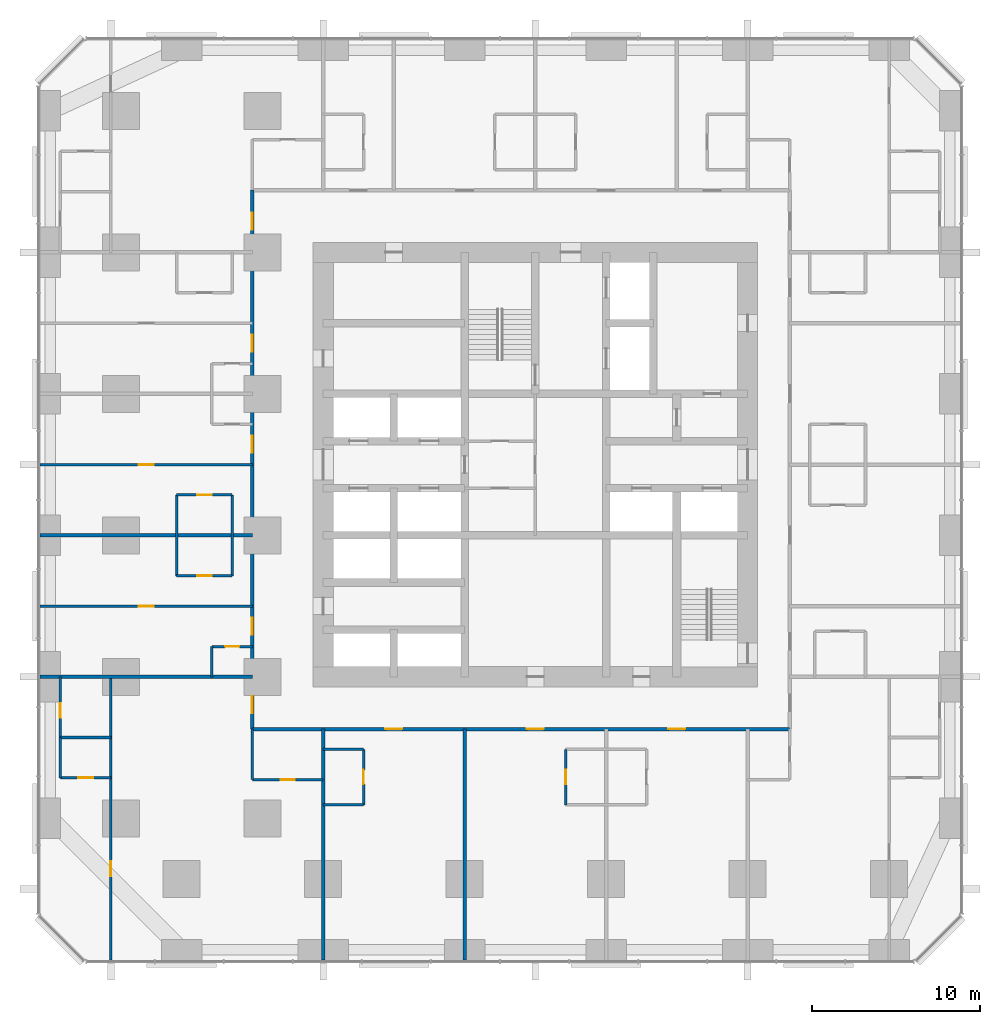
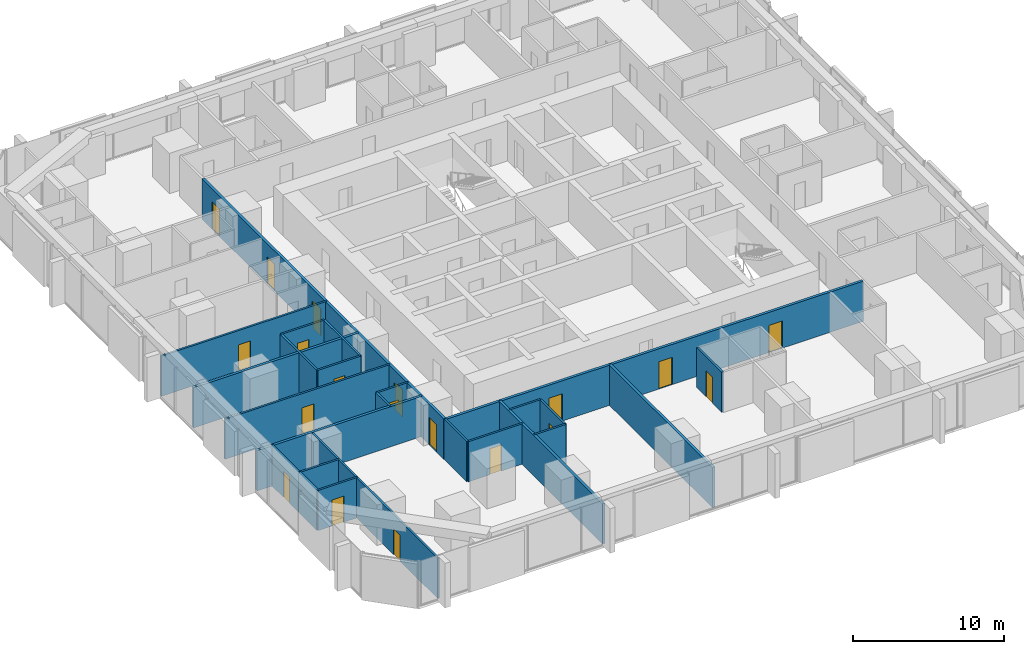
# One storey, part 8 of 13: 25 walls, 19 doors, 19 openings.
"""IFC4 building model written with IfcOpenShell, lengths in metres."""

from ifc_helpers import new_model, si_unit, direction, frame, frame_2d, origin, place, context, subcontext, project, spatial, rectangle, extrude, material, layer, layer_set, type_object, element, fill, save


model = new_model("IFC4")

# Units and contexts
model_context = context("Model", 3, precision=1e-05, world=origin(), true_north=direction((0.0, 1.0)))
body_context = subcontext(model_context, "Body", "Model", "MODEL_VIEW")
ifc_project = project(units=[si_unit("LENGTHUNIT", "METRE"), si_unit("AREAUNIT", "SQUARE_METRE"), si_unit("VOLUMEUNIT", "CUBIC_METRE"), si_unit("PLANEANGLEUNIT", "RADIAN"), si_unit("MASSUNIT", "GRAM", prefix="KILO")], contexts=[model_context])

# Site, building, storey
site_placement = place(None, origin())
site = spatial("IfcSite", under=ifc_project, at=site_placement, CompositionType="ELEMENT")
building_placement = place(site_placement, origin())
building = spatial("IfcBuilding", under=site, at=building_placement, Name="Dunama Terrace Hotel", CompositionType="ELEMENT")
storey_placement = place(building_placement, frame((0.0, 0.0, 97.199951171875)))
storey = spatial("IfcBuildingStorey", under=building, at=storey_placement, Name="L24", CompositionType="ELEMENT", Elevation=97.199951171875)

# Wall, opening, door
ifc_material_1 = material(Name="Gypsum board partition", Category="masonry")
ifc_layer_1 = layer(ifc_material_1, 0.14990234375)
ifc_layer_set_1 = layer_set([ifc_layer_1], Name="Bathroom partition 150")
wall_type_1 = type_object("IfcWallType", Name="Bathroom partition 150", PredefinedType="PARTITIONING", material=ifc_layer_set_1)
wall_1_placement = place(storey_placement, frame((1.199951171875, 13.199951171875, 0.0), z_axis=(0.0, 0.0, 1.0), x_axis=(0.0, 1.0, 0.0)))
wall_1 = element("IfcWall", 1, at=wall_1_placement, inside=storey, type_object=wall_type_1, Name="Bathroom partition 150 L24", PredefinedType="PARTITIONING", context=body_context, shape_type="SweptSolid", body=[
    extrude(rectangle(XDim=3.60009765625, YDim=0.14990234375, at=frame_2d((1.800048828125, 0.0))), origin(), (0.0, 0.0, 1.0), 3.25),
])
opening_1_placement = place(wall_1_placement, frame((1.175048828125, 0.0, 0.0)))
opening_1 = element("IfcOpeningElement", 2, at=opening_1_placement, cuts=wall_1, Name="Opening L24-048", PredefinedType="OPENING", context=body_context, shape_type="SweptSolid", body=[
    extrude(rectangle(XDim=0.85009765625, YDim=2.10009765625, at=frame_2d((0.425048828125, 1.050048828125))), frame((0.0, 0.0849609375, 0.0), z_axis=(0.0, -1.0, 0.0), x_axis=(1.0, 0.0, 0.0)), (0.0, 0.0, 1.0), 0.169921875),
])
ifc_material_2 = material(Name="Timber door with steel frame", Category="steel")
door_type_1 = type_object("IfcDoorType", Name="Bathroom door 850", OperationType="SINGLE_SWING_LEFT", PredefinedType="DOOR", material=ifc_material_2)
door_1_placement = place(opening_1_placement, frame((0.85009765625, 0.0, 0.0), z_axis=(0.0, 0.0, 1.0), x_axis=(-1.0, 0.0, 0.0)))
door_1 = element("IfcDoor", 3, at=door_1_placement, inside=storey, type_object=door_type_1, Name="Door to en-suite bathroom L24-048, type D2", OperationType="SINGLE_SWING_LEFT", OverallHeight=2.10009765625, OverallWidth=0.85009765625, PredefinedType="DOOR", context=body_context, shape_type="SweptSolid", body=[
    extrude(rectangle(XDim=0.85009765625, YDim=2.10009765625, at=frame_2d((0.425048828125, 1.050048828125))), frame((0.0, 0.025146484375, 0.0), z_axis=(0.0, -1.0, 0.0), x_axis=(1.0, 0.0, 0.0)), (0.0, 0.0, 1.0), 0.050048828125),
])
fill(opening_1, door_1)

# Walls
wall_2_placement = place(storey_placement, frame((8.10009765625, 22.800048828125, 0.0), z_axis=(0.0, 0.0, 1.0), x_axis=(0.0, 1.0, 0.0)))
element("IfcWall", 4, at=wall_2_placement, inside=storey, type_object=wall_type_1, Name="Bathroom partition 150 L24", PredefinedType="PARTITIONING", context=body_context, shape_type="SweptSolid", body=[
    extrude(rectangle(XDim=4.800048828125, YDim=0.14990234375, at=frame_2d((2.39990234375, 0.0))), origin(), (0.0, 0.0, 1.0), 3.25),
])
wall_3_placement = place(storey_placement, frame((10.199951171875, 16.800048828125, 0.0), z_axis=(0.0, 0.0, 1.0), x_axis=(0.0, 1.0, 0.0)))
element("IfcWall", 5, at=wall_3_placement, inside=storey, type_object=wall_type_1, Name="Bathroom partition 150 L24", PredefinedType="PARTITIONING", context=body_context, shape_type="SweptSolid", body=[
    extrude(rectangle(XDim=1.800048828125, YDim=0.14990234375, at=frame_2d((0.89990234375, 0.0))), origin(), (0.0, 0.0, 1.0), 3.25),
])
wall_4_placement = place(storey_placement, frame((11.39990234375, 22.800048828125, 0.0), z_axis=(0.0, 0.0, 1.0), x_axis=(0.0, 1.0, 0.0)))
element("IfcWall", 6, at=wall_4_placement, inside=storey, type_object=wall_type_1, Name="Bathroom partition 150 L24", PredefinedType="PARTITIONING", context=body_context, shape_type="SweptSolid", body=[
    extrude(rectangle(XDim=4.800048828125, YDim=0.14990234375, at=frame_2d((2.39990234375, 0.0))), origin(), (0.0, 0.0, 1.0), 3.25),
])
wall_5_placement = place(storey_placement, frame((12.60009765625, 10.699951171875, 0.0), z_axis=(0.0, 0.0, 1.0), x_axis=(0.0, 1.0, 0.0)))
element("IfcWall", 7, at=wall_5_placement, inside=storey, type_object=wall_type_1, Name="Bathroom partition 150 L24", PredefinedType="PARTITIONING", context=body_context, shape_type="SweptSolid", body=[
    extrude(rectangle(XDim=3.0, YDim=0.14990234375, at=frame_2d((1.5, 0.0))), origin(), (0.0, 0.0, 1.0), 3.25),
])

# Wall, opening, door
wall_6_placement = place(storey_placement, frame((19.199951171875, 9.199951171875, 0.0), z_axis=(0.0, 0.0, 1.0), x_axis=(0.0, 1.0, 0.0)))
wall_6 = element("IfcWall", 8, at=wall_6_placement, inside=storey, type_object=wall_type_1, Name="Bathroom partition 150 L24", PredefinedType="PARTITIONING", context=body_context, shape_type="SweptSolid", body=[
    extrude(rectangle(XDim=3.300048828125, YDim=0.14990234375, at=frame_2d((1.64990234375, 0.0))), origin(), (0.0, 0.0, 1.0), 3.25),
])
opening_2_placement = place(wall_6_placement, frame((1.22509765625, 0.0, 0.0)))
opening_2 = element("IfcOpeningElement", 9, at=opening_2_placement, cuts=wall_6, Name="Opening L24-012", PredefinedType="OPENING", context=body_context, shape_type="SweptSolid", body=[
    extrude(rectangle(XDim=0.85009765625, YDim=2.10009765625, at=frame_2d((0.425048828125, 1.050048828125))), frame((0.0, 0.0849609375, 0.0), z_axis=(0.0, -1.0, 0.0), x_axis=(1.0, 0.0, 0.0)), (0.0, 0.0, 1.0), 0.169921875),
])
door_2_placement = place(opening_2_placement, origin())
door_2 = element("IfcDoor", 10, at=door_2_placement, inside=storey, type_object=door_type_1, Name="Door to en-suite bathroom L24-012, type D2", OperationType="SINGLE_SWING_LEFT", OverallHeight=2.10009765625, OverallWidth=0.85009765625, PredefinedType="DOOR", context=body_context, shape_type="SweptSolid", body=[
    extrude(rectangle(XDim=0.85009765625, YDim=2.10009765625, at=frame_2d((0.425048828125, 1.050048828125))), frame((0.0, 0.02490234375, 0.0), z_axis=(0.0, -1.0, 0.0), x_axis=(1.0, 0.0, 0.0)), (0.0, 0.0, 1.0), 0.050048828125),
])
fill(opening_2, door_2)

wall_7_placement = place(storey_placement, frame((31.199951171875, 9.199951171875, 0.0), z_axis=(0.0, 0.0, 1.0), x_axis=(0.0, 1.0, 0.0)))
wall_7 = element("IfcWall", 11, at=wall_7_placement, inside=storey, type_object=wall_type_1, Name="Bathroom partition 150 L24", PredefinedType="PARTITIONING", context=body_context, shape_type="SweptSolid", body=[
    extrude(rectangle(XDim=3.300048828125, YDim=0.14990234375, at=frame_2d((1.64990234375, 0.0))), origin(), (0.0, 0.0, 1.0), 3.25),
])
opening_3_placement = place(wall_7_placement, frame((1.22509765625, 0.0, 0.0)))
opening_3 = element("IfcOpeningElement", 12, at=opening_3_placement, cuts=wall_7, Name="Opening L24-014", PredefinedType="OPENING", context=body_context, shape_type="SweptSolid", body=[
    extrude(rectangle(XDim=0.85009765625, YDim=2.10009765625, at=frame_2d((0.425048828125, 1.050048828125))), frame((0.0, 0.0849609375, 0.0), z_axis=(0.0, -1.0, 0.0), x_axis=(1.0, 0.0, 0.0)), (0.0, 0.0, 1.0), 0.169921875),
])
door_3_placement = place(opening_3_placement, frame((0.85009765625, 0.0, 0.0), z_axis=(0.0, 0.0, 1.0), x_axis=(-1.0, 0.0, 0.0)))
door_3 = element("IfcDoor", 13, at=door_3_placement, inside=storey, type_object=door_type_1, Name="Door to en-suite bathroom L24-014, type D2", OperationType="SINGLE_SWING_RIGHT", OverallHeight=2.10009765625, OverallWidth=0.85009765625, PredefinedType="DOOR", context=body_context, shape_type="SweptSolid", body=[
    extrude(rectangle(XDim=0.85009765625, YDim=2.10009765625, at=frame_2d((0.425048828125, 1.050048828125))), frame((0.0, 0.025146484375, 0.0), z_axis=(0.0, -1.0, 0.0), x_axis=(1.0, 0.0, 0.0)), (0.0, 0.0, 1.0), 0.050048828125),
])
fill(opening_3, door_3)

# Wall
wall_8_placement = place(storey_placement, frame((16.800048828125, 9.199951171875, 0.0), z_axis=(0.0, 0.0, 1.0), x_axis=(1.0, 0.0, 0.0)))
element("IfcWall", 14, at=wall_8_placement, inside=storey, type_object=wall_type_1, Name="Bathroom partition 150 L24", PredefinedType="PARTITIONING", context=body_context, shape_type="SweptSolid", body=[
    extrude(rectangle(XDim=2.39990234375, YDim=0.14990234375, at=frame_2d((1.199951171875, 0.0))), origin(), (0.0, 0.0, 1.0), 3.25),
])

# Wall, opening, door
wall_9_placement = place(storey_placement, frame((12.60009765625, 10.699951171875, 0.0), z_axis=(0.0, 0.0, 1.0), x_axis=(1.0, 0.0, 0.0)))
wall_9 = element("IfcWall", 15, at=wall_9_placement, inside=storey, type_object=wall_type_1, Name="Bathroom partition 150 L24", PredefinedType="PARTITIONING", context=body_context, shape_type="SweptSolid", body=[
    extrude(rectangle(XDim=4.199951171875, YDim=0.14990234375, at=frame_2d((2.10009765625, 0.0))), origin(), (0.0, 0.0, 1.0), 3.25),
])
opening_4_placement = place(wall_9_placement, frame((1.675048828125, 0.0, 0.0)))
opening_4 = element("IfcOpeningElement", 16, at=opening_4_placement, cuts=wall_9, Name="Opening L24-046", PredefinedType="OPENING", context=body_context, shape_type="SweptSolid", body=[
    extrude(rectangle(XDim=0.85009765625, YDim=2.10009765625, at=frame_2d((0.425048828125, 1.050048828125))), frame((0.0, 0.0849609375, 0.0), z_axis=(0.0, -1.0, 0.0), x_axis=(1.0, 0.0, 0.0)), (0.0, 0.0, 1.0), 0.169921875),
])
door_4_placement = place(opening_4_placement, origin())
door_4 = element("IfcDoor", 17, at=door_4_placement, inside=storey, type_object=door_type_1, Name="Door to powder room L24-046, type D2", OperationType="SINGLE_SWING_LEFT", OverallHeight=2.10009765625, OverallWidth=0.85009765625, PredefinedType="DOOR", context=body_context, shape_type="SweptSolid", body=[
    extrude(rectangle(XDim=0.85009765625, YDim=2.10009765625, at=frame_2d((0.425048828125, 1.050048828125))), frame((0.0, 0.02490234375, 0.0), z_axis=(0.0, -1.0, 0.0), x_axis=(1.0, 0.0, 0.0)), (0.0, 0.0, 1.0), 0.050048828125),
])
fill(opening_4, door_4)

# Wall
wall_10_placement = place(storey_placement, frame((16.800048828125, 12.5, 0.0), z_axis=(0.0, 0.0, 1.0), x_axis=(1.0, 0.0, 0.0)))
element("IfcWall", 18, at=wall_10_placement, inside=storey, type_object=wall_type_1, Name="Bathroom partition 150 L24", PredefinedType="PARTITIONING", context=body_context, shape_type="SweptSolid", body=[
    extrude(rectangle(XDim=2.39990234375, YDim=0.14990234375, at=frame_2d((1.199951171875, 0.0))), origin(), (0.0, 0.0, 1.0), 3.25),
])

# Wall, opening, door
wall_11_placement = place(storey_placement, frame((10.199951171875, 18.60009765625, 0.0), z_axis=(0.0, 0.0, 1.0), x_axis=(1.0, 0.0, 0.0)))
wall_11 = element("IfcWall", 19, at=wall_11_placement, inside=storey, type_object=wall_type_1, Name="Bathroom partition 150 L24", PredefinedType="PARTITIONING", context=body_context, shape_type="SweptSolid", body=[
    extrude(rectangle(XDim=2.400146484375, YDim=0.14990234375, at=frame_2d((1.2001953125, 0.0))), origin(), (0.0, 0.0, 1.0), 3.25),
])
opening_5_placement = place(wall_11_placement, frame((0.77490234375, 0.0, 0.0)))
opening_5 = element("IfcOpeningElement", 20, at=opening_5_placement, cuts=wall_11, Name="Opening L24-034", PredefinedType="OPENING", context=body_context, shape_type="SweptSolid", body=[
    extrude(rectangle(XDim=0.85009765625, YDim=2.10009765625, at=frame_2d((0.425048828125, 1.050048828125))), frame((0.0, 0.0849609375, 0.0), z_axis=(0.0, -1.0, 0.0), x_axis=(1.0, 0.0, 0.0)), (0.0, 0.0, 1.0), 0.169921875),
])
door_5_placement = place(opening_5_placement, frame((0.85009765625, 0.0, 0.0), z_axis=(0.0, 0.0, 1.0), x_axis=(-1.0, 0.0, 0.0)))
door_5 = element("IfcDoor", 21, at=door_5_placement, inside=storey, type_object=door_type_1, Name="Door to powder room L24-034, type D2", OperationType="SINGLE_SWING_LEFT", OverallHeight=2.10009765625, OverallWidth=0.85009765625, PredefinedType="DOOR", context=body_context, shape_type="SweptSolid", body=[
    extrude(rectangle(XDim=0.85009765625, YDim=2.10009765625, at=frame_2d((0.425048828125, 1.050048828125))), frame((0.0, 0.025146484375, 0.0), z_axis=(0.0, -1.0, 0.0), x_axis=(1.0, 0.0, 0.0)), (0.0, 0.0, 1.0), 0.050048828125),
])
fill(opening_5, door_5)

wall_12_placement = place(storey_placement, frame((8.10009765625, 22.800048828125, 0.0), z_axis=(0.0, 0.0, 1.0), x_axis=(1.0, 0.0, 0.0)))
wall_12 = element("IfcWall", 22, at=wall_12_placement, inside=storey, type_object=wall_type_1, Name="Bathroom partition 150 L24", PredefinedType="PARTITIONING", context=body_context, shape_type="SweptSolid", body=[
    extrude(rectangle(XDim=3.2998046875, YDim=0.14990234375, at=frame_2d((1.64990234375, 0.0))), origin(), (0.0, 0.0, 1.0), 3.25),
])
opening_6_placement = place(wall_12_placement, frame((1.22509765625, 0.0, 0.0)))
opening_6 = element("IfcOpeningElement", 23, at=opening_6_placement, cuts=wall_12, Name="Opening L24-036", PredefinedType="OPENING", context=body_context, shape_type="SweptSolid", body=[
    extrude(rectangle(XDim=0.85009765625, YDim=2.10009765625, at=frame_2d((0.425048828125, 1.050048828125))), frame((0.0, 0.0849609375, 0.0), z_axis=(0.0, -1.0, 0.0), x_axis=(1.0, 0.0, 0.0)), (0.0, 0.0, 1.0), 0.169921875),
])
door_6_placement = place(opening_6_placement, origin())
door_6 = element("IfcDoor", 24, at=door_6_placement, inside=storey, type_object=door_type_1, Name="Door to en-suite bathroom L24-036, type D2", OperationType="SINGLE_SWING_LEFT", OverallHeight=2.10009765625, OverallWidth=0.85009765625, PredefinedType="DOOR", context=body_context, shape_type="SweptSolid", body=[
    extrude(rectangle(XDim=0.85009765625, YDim=2.10009765625, at=frame_2d((0.425048828125, 1.050048828125))), frame((0.0, 0.02490234375, 0.0), z_axis=(0.0, -1.0, 0.0), x_axis=(1.0, 0.0, 0.0)), (0.0, 0.0, 1.0), 0.050048828125),
])
fill(opening_6, door_6)

wall_13_placement = place(storey_placement, frame((8.10009765625, 27.60009765625, 0.0), z_axis=(0.0, 0.0, 1.0), x_axis=(1.0, 0.0, 0.0)))
wall_13 = element("IfcWall", 25, at=wall_13_placement, inside=storey, type_object=wall_type_1, Name="Bathroom partition 150 L24", PredefinedType="PARTITIONING", context=body_context, shape_type="SweptSolid", body=[
    extrude(rectangle(XDim=3.2998046875, YDim=0.14990234375, at=frame_2d((1.64990234375, 0.0))), origin(), (0.0, 0.0, 1.0), 3.25),
])
opening_7_placement = place(wall_13_placement, frame((1.22509765625, 0.0, 0.0)))
opening_7 = element("IfcOpeningElement", 26, at=opening_7_placement, cuts=wall_13, Name="Opening L24-040", PredefinedType="OPENING", context=body_context, shape_type="SweptSolid", body=[
    extrude(rectangle(XDim=0.85009765625, YDim=2.10009765625, at=frame_2d((0.425048828125, 1.050048828125))), frame((0.0, 0.0849609375, 0.0), z_axis=(0.0, -1.0, 0.0), x_axis=(1.0, 0.0, 0.0)), (0.0, 0.0, 1.0), 0.169921875),
])
door_7_placement = place(opening_7_placement, frame((0.85009765625, 0.0, 0.0), z_axis=(0.0, 0.0, 1.0), x_axis=(-1.0, 0.0, 0.0)))
door_7 = element("IfcDoor", 27, at=door_7_placement, inside=storey, type_object=door_type_1, Name="Door to en-suite bathroom L24-040, type D2", OperationType="SINGLE_SWING_RIGHT", OverallHeight=2.10009765625, OverallWidth=0.85009765625, PredefinedType="DOOR", context=body_context, shape_type="SweptSolid", body=[
    extrude(rectangle(XDim=0.85009765625, YDim=2.10009765625, at=frame_2d((0.425048828125, 1.050048828125))), frame((0.0, 0.025146484375, 0.0), z_axis=(0.0, -1.0, 0.0), x_axis=(1.0, 0.0, 0.0)), (0.0, 0.0, 1.0), 0.050048828125),
])
fill(opening_7, door_7)

# Wall, openings, doors
ifc_material_3 = material(Name="Concrete blockwork", Category="masonry")
ifc_layer_2 = layer(ifc_material_3, 0.199951171875)
ifc_layer_set_2 = layer_set([ifc_layer_2], Name="Corridor partition 200")
wall_type_2 = type_object("IfcWallType", Name="Corridor partition 200", PredefinedType="PARTITIONING", material=ifc_layer_set_2)
wall_14_placement = place(storey_placement, frame((12.60009765625, 13.699951171875, 0.0), z_axis=(0.0, 0.0, 1.0), x_axis=(0.0, 1.0, 0.0)))
wall_14 = element("IfcWall", 28, at=wall_14_placement, inside=storey, type_object=wall_type_2, Name="Corridor partition 200 L24", PredefinedType="PARTITIONING", context=body_context, shape_type="SweptSolid", body=[
    extrude(rectangle(XDim=32.0, YDim=0.199951171875, at=frame_2d((16.0, 0.0))), origin(), (0.0, 0.0, 1.0), 3.25),
])
opening_8_placement = place(wall_14_placement, frame((5.60009765625, 0.0, 0.0)))
opening_8 = element("IfcOpeningElement", 29, at=opening_8_placement, cuts=wall_14, Name="Opening L24-033", PredefinedType="OPENING", context=body_context, shape_type="SweptSolid", body=[
    extrude(rectangle(XDim=1.0, YDim=2.199951171875, at=frame_2d((0.5, 1.10009765625))), frame((0.0, 0.10986328125, 0.0), z_axis=(0.0, -1.0, 0.0), x_axis=(1.0, 0.0, 0.0)), (0.0, 0.0, 1.0), 0.219970703125),
])
opening_9_placement = place(wall_14_placement, frame((16.39990234375, 0.0, 0.0)))
opening_9 = element("IfcOpeningElement", 30, at=opening_9_placement, cuts=wall_14, Name="Opening L24-037", PredefinedType="OPENING", context=body_context, shape_type="SweptSolid", body=[
    extrude(rectangle(XDim=1.0, YDim=2.199951171875, at=frame_2d((0.5, 1.10009765625))), frame((0.0, 0.10986328125, 0.0), z_axis=(0.0, -1.0, 0.0), x_axis=(1.0, 0.0, 0.0)), (0.0, 0.0, 1.0), 0.219970703125),
])
opening_10_placement = place(wall_14_placement, frame((22.39990234375, 0.0, 0.0)))
opening_10 = element("IfcOpeningElement", 31, at=opening_10_placement, cuts=wall_14, Name="Opening L24-041", PredefinedType="OPENING", context=body_context, shape_type="SweptSolid", body=[
    extrude(rectangle(XDim=1.0, YDim=2.199951171875, at=frame_2d((0.5, 1.10009765625))), frame((0.0, 0.10986328125, 0.0), z_axis=(0.0, -1.0, 0.0), x_axis=(1.0, 0.0, 0.0)), (0.0, 0.0, 1.0), 0.219970703125),
])
opening_11_placement = place(wall_14_placement, frame((0.949951171875, 0.0, 0.0)))
opening_11 = element("IfcOpeningElement", 32, at=opening_11_placement, cuts=wall_14, Name="Opening L24-045", PredefinedType="OPENING", context=body_context, shape_type="SweptSolid", body=[
    extrude(rectangle(XDim=1.0, YDim=2.199951171875, at=frame_2d((0.5, 1.10009765625))), frame((0.0, 0.10986328125, 0.0), z_axis=(0.0, -1.0, 0.0), x_axis=(1.0, 0.0, 0.0)), (0.0, 0.0, 1.0), 0.219970703125),
])
opening_12_placement = place(wall_14_placement, frame((29.64990234375, 0.0, 0.0)))
opening_12 = element("IfcOpeningElement", 33, at=opening_12_placement, cuts=wall_14, Name="Opening L24-060", PredefinedType="OPENING", context=body_context, shape_type="SweptSolid", body=[
    extrude(rectangle(XDim=1.0, YDim=2.199951171875, at=frame_2d((0.5, 1.10009765625))), frame((0.0, 0.10986328125, 0.0), z_axis=(0.0, -1.0, 0.0), x_axis=(1.0, 0.0, 0.0)), (0.0, 0.0, 1.0), 0.219970703125),
])
ifc_material_4 = material(Name="Timber door with steel frame", Category="steel")
door_type_2 = type_object("IfcDoorType", Name="Guest room door 1000", OperationType="SINGLE_SWING_LEFT", PredefinedType="DOOR", material=ifc_material_4)
door_8_placement = place(opening_8_placement, origin())
door_8 = element("IfcDoor", 34, at=door_8_placement, inside=storey, type_object=door_type_2, Name="Door to premier suite living room L24-033, type D1", OperationType="SINGLE_SWING_LEFT", OverallHeight=2.199951171875, OverallWidth=1.0, PredefinedType="DOOR", context=body_context, shape_type="SweptSolid", body=[
    extrude(rectangle(XDim=1.0, YDim=2.199951171875, at=frame_2d((0.5, 1.10009765625))), frame((0.0, 0.02490234375, 0.0), z_axis=(0.0, -1.0, 0.0), x_axis=(1.0, 0.0, 0.0)), (0.0, 0.0, 1.0), 0.050048828125),
])
fill(opening_8, door_8)
door_9_placement = place(opening_9_placement, origin())
door_9 = element("IfcDoor", 35, at=door_9_placement, inside=storey, type_object=door_type_2, Name="Door to premier suite living room L24-037, type D1", OperationType="SINGLE_SWING_LEFT", OverallHeight=2.199951171875, OverallWidth=1.0, PredefinedType="DOOR", context=body_context, shape_type="SweptSolid", body=[
    extrude(rectangle(XDim=1.0, YDim=2.199951171875, at=frame_2d((0.5, 1.10009765625))), frame((0.0, 0.02490234375, 0.0), z_axis=(0.0, -1.0, 0.0), x_axis=(1.0, 0.0, 0.0)), (0.0, 0.0, 1.0), 0.050048828125),
])
fill(opening_9, door_9)
door_10_placement = place(opening_10_placement, origin())
door_10 = element("IfcDoor", 36, at=door_10_placement, inside=storey, type_object=door_type_2, Name="Door to premier suite living room L24-041, type D1", OperationType="SINGLE_SWING_LEFT", OverallHeight=2.199951171875, OverallWidth=1.0, PredefinedType="DOOR", context=body_context, shape_type="SweptSolid", body=[
    extrude(rectangle(XDim=1.0, YDim=2.199951171875, at=frame_2d((0.5, 1.10009765625))), frame((0.0, 0.02490234375, 0.0), z_axis=(0.0, -1.0, 0.0), x_axis=(1.0, 0.0, 0.0)), (0.0, 0.0, 1.0), 0.050048828125),
])
fill(opening_10, door_10)
door_11_placement = place(opening_11_placement, origin())
door_11 = element("IfcDoor", 37, at=door_11_placement, inside=storey, type_object=door_type_2, Name="Door to corner suite living room L24-045, type D1", OperationType="SINGLE_SWING_RIGHT", OverallHeight=2.199951171875, OverallWidth=1.0, PredefinedType="DOOR", context=body_context, shape_type="SweptSolid", body=[
    extrude(rectangle(XDim=1.0, YDim=2.199951171875, at=frame_2d((0.5, 1.10009765625))), frame((0.0, 0.02490234375, 0.0), z_axis=(0.0, -1.0, 0.0), x_axis=(1.0, 0.0, 0.0)), (0.0, 0.0, 1.0), 0.050048828125),
])
fill(opening_11, door_11)
door_12_placement = place(opening_12_placement, origin())
door_12 = element("IfcDoor", 38, at=door_12_placement, inside=storey, type_object=door_type_2, Name="Door to corner suite living room L24-060, type D1", OperationType="SINGLE_SWING_LEFT", OverallHeight=2.199951171875, OverallWidth=1.0, PredefinedType="DOOR", context=body_context, shape_type="SweptSolid", body=[
    extrude(rectangle(XDim=1.0, YDim=2.199951171875, at=frame_2d((0.5, 1.10009765625))), frame((0.0, 0.02490234375, 0.0), z_axis=(0.0, -1.0, 0.0), x_axis=(1.0, 0.0, 0.0)), (0.0, 0.0, 1.0), 0.050048828125),
])
fill(opening_12, door_12)

wall_15_placement = place(storey_placement, frame((44.5, 13.699951171875, 0.0), z_axis=(0.0, 0.0, 1.0), x_axis=(-1.0, 0.0, 0.0)))
wall_15 = element("IfcWall", 39, at=wall_15_placement, inside=storey, type_object=wall_type_2, Name="Corridor partition 200 L24", PredefinedType="PARTITIONING", context=body_context, shape_type="SweptSolid", body=[
    extrude(rectangle(XDim=31.89990234375, YDim=0.199951171875, at=frame_2d((15.949951171875, 0.0))), origin(), (0.0, 0.0, 1.0), 3.25),
])
opening_13_placement = place(wall_15_placement, frame((23.0, 0.0, 0.0)))
opening_13 = element("IfcOpeningElement", 40, at=opening_13_placement, cuts=wall_15, Name="Opening L24-011", PredefinedType="OPENING", context=body_context, shape_type="SweptSolid", body=[
    extrude(rectangle(XDim=1.0, YDim=2.199951171875, at=frame_2d((0.5, 1.10009765625))), frame((0.0, 0.10986328125, 0.0), z_axis=(0.0, -1.0, 0.0), x_axis=(1.0, 0.0, 0.0)), (0.0, 0.0, 1.0), 0.219970703125),
])
opening_14_placement = place(wall_15_placement, frame((14.60009765625, 0.0, 0.0)))
opening_14 = element("IfcOpeningElement", 41, at=opening_14_placement, cuts=wall_15, Name="Opening L24-013", PredefinedType="OPENING", context=body_context, shape_type="SweptSolid", body=[
    extrude(rectangle(XDim=1.0, YDim=2.199951171875, at=frame_2d((0.5, 1.10009765625))), frame((0.0, 0.10986328125, 0.0), z_axis=(0.0, -1.0, 0.0), x_axis=(1.0, 0.0, 0.0)), (0.0, 0.0, 1.0), 0.219970703125),
])
opening_15_placement = place(wall_15_placement, frame((6.199951171875, 0.0, 0.0)))
opening_15 = element("IfcOpeningElement", 42, at=opening_15_placement, cuts=wall_15, Name="Opening L24-015", PredefinedType="OPENING", context=body_context, shape_type="SweptSolid", body=[
    extrude(rectangle(XDim=1.0, YDim=2.199951171875, at=frame_2d((0.5, 1.10009765625))), frame((0.0, 0.10986328125, 0.0), z_axis=(0.0, -1.0, 0.0), x_axis=(1.0, 0.0, 0.0)), (0.0, 0.0, 1.0), 0.219970703125),
])
door_13_placement = place(opening_13_placement, origin())
door_13 = element("IfcDoor", 43, at=door_13_placement, inside=storey, type_object=door_type_2, Name="Door to junior suite L24-011, type D1", OperationType="SINGLE_SWING_RIGHT", OverallHeight=2.199951171875, OverallWidth=1.0, PredefinedType="DOOR", context=body_context, shape_type="SweptSolid", body=[
    extrude(rectangle(XDim=1.0, YDim=2.199951171875, at=frame_2d((0.5, 1.10009765625))), frame((0.0, 0.02490234375, 0.0), z_axis=(0.0, -1.0, 0.0), x_axis=(1.0, 0.0, 0.0)), (0.0, 0.0, 1.0), 0.050048828125),
])
fill(opening_13, door_13)
door_14_placement = place(opening_14_placement, origin())
door_14 = element("IfcDoor", 44, at=door_14_placement, inside=storey, type_object=door_type_2, Name="Door to junior suite L24-013, type D1", OperationType="SINGLE_SWING_LEFT", OverallHeight=2.199951171875, OverallWidth=1.0, PredefinedType="DOOR", context=body_context, shape_type="SweptSolid", body=[
    extrude(rectangle(XDim=1.0, YDim=2.199951171875, at=frame_2d((0.5, 1.10009765625))), frame((0.0, 0.02490234375, 0.0), z_axis=(0.0, -1.0, 0.0), x_axis=(1.0, 0.0, 0.0)), (0.0, 0.0, 1.0), 0.050048828125),
])
fill(opening_14, door_14)
door_15_placement = place(opening_15_placement, origin())
door_15 = element("IfcDoor", 45, at=door_15_placement, inside=storey, type_object=door_type_2, Name="Door to junior suite L24-015, type D1", OperationType="SINGLE_SWING_RIGHT", OverallHeight=2.199951171875, OverallWidth=1.0, PredefinedType="DOOR", context=body_context, shape_type="SweptSolid", body=[
    extrude(rectangle(XDim=1.0, YDim=2.199951171875, at=frame_2d((0.5, 1.10009765625))), frame((0.0, 0.02490234375, 0.0), z_axis=(0.0, -1.0, 0.0), x_axis=(1.0, 0.0, 0.0)), (0.0, 0.0, 1.0), 0.050048828125),
])
fill(opening_15, door_15)

# Walls
ifc_material_5 = material(Name="Concrete blockwork", Category="masonry")
ifc_layer_3 = layer(ifc_material_5, 0.199951171875)
ifc_layer_set_3 = layer_set([ifc_layer_3], Name="Party wall 200")
wall_type_3 = type_object("IfcWallType", Name="Party wall 200", PredefinedType="PARTITIONING", material=ifc_layer_set_3)
for number, where, z_axis, x_axis, name in (
    (46, (16.800048828125, -0.01806640625, 0.0), (0.0, 0.0, 1.0), (0.0, 1.0, 0.0), "Party wall 200 L24"),
    (47, (25.199951171875, -0.01806640625, 0.0), (0.0, 0.0, 1.0), (0.0, 1.0, 0.0), "Party wall 200 L24"),
):
    element("IfcWall", number, at=place(storey_placement, frame(where, z_axis=z_axis, x_axis=x_axis)), inside=storey, type_object=wall_type_3, Name=name, PredefinedType="PARTITIONING", context=body_context, shape_type="SweptSolid", body=[
        extrude(rectangle(XDim=13.718017578125, YDim=0.199951171875, at=frame_2d((6.85888671875, 0.0))), origin(), (0.0, 0.0, 1.0), 3.25),
    ])
for number, where, z_axis, x_axis, name in (
    (48, (-0.01806640625, 16.800048828125, 0.0), (0.0, 0.0, 1.0), (1.0, 0.0, 0.0), "Party wall 200 L24"),
    (49, (-0.01806640625, 25.199951171875, 0.0), (0.0, 0.0, 1.0), (1.0, 0.0, 0.0), "Party wall 200 L24"),
):
    element("IfcWall", number, at=place(storey_placement, frame(where, z_axis=z_axis, x_axis=x_axis)), inside=storey, type_object=wall_type_3, Name=name, PredefinedType="PARTITIONING", context=body_context, shape_type="SweptSolid", body=[
        extrude(rectangle(XDim=12.6181640625, YDim=0.199951171875, at=frame_2d((6.30908203125, 0.0))), origin(), (0.0, 0.0, 1.0), 3.25),
    ])
ifc_material_6 = material(Name="Gypsum board partition", Category="masonry")
ifc_layer_4 = layer(ifc_material_6, 0.14990234375)
ifc_layer_set_4 = layer_set([ifc_layer_4], Name="Room partition 150")
wall_type_4 = type_object("IfcWallType", Name="Room partition 150", PredefinedType="PARTITIONING", material=ifc_layer_set_4)
wall_16_placement = place(storey_placement, frame((1.199951171875, 10.800048828125, 0.0), z_axis=(0.0, 0.0, 1.0), x_axis=(0.0, 1.0, 0.0)))
element("IfcWall", 50, at=wall_16_placement, inside=storey, type_object=wall_type_4, Name="Room partition 150 L24", PredefinedType="PARTITIONING", context=body_context, shape_type="SweptSolid", body=[
    extrude(rectangle(XDim=2.39990234375, YDim=0.14990234375, at=frame_2d((1.199951171875, 0.0))), origin(), (0.0, 0.0, 1.0), 3.25),
])

# Wall, opening, door
wall_17_placement = place(storey_placement, frame((4.199951171875, -0.01806640625, 0.0), z_axis=(0.0, 0.0, 1.0), x_axis=(0.0, 1.0, 0.0)))
wall_17 = element("IfcWall", 51, at=wall_17_placement, inside=storey, type_object=wall_type_4, Name="Room partition 150 L24", PredefinedType="PARTITIONING", context=body_context, shape_type="SweptSolid", body=[
    extrude(rectangle(XDim=16.818115234375, YDim=0.14990234375, at=frame_2d((8.4091796875, 0.0))), origin(), (0.0, 0.0, 1.0), 3.25),
])
opening_16_placement = place(wall_17_placement, frame((4.968017578125, 0.0, 0.0)))
opening_16 = element("IfcOpeningElement", 52, at=opening_16_placement, cuts=wall_17, Name="Opening L24-047", PredefinedType="OPENING", context=body_context, shape_type="SweptSolid", body=[
    extrude(rectangle(XDim=0.89990234375, YDim=2.10009765625, at=frame_2d((0.449951171875, 1.050048828125))), frame((0.0, 0.0849609375, 0.0), z_axis=(0.0, -1.0, 0.0), x_axis=(1.0, 0.0, 0.0)), (0.0, 0.0, 1.0), 0.169921875),
])
ifc_material_7 = material(Name="Timber door with steel frame", Category="steel")
door_type_3 = type_object("IfcDoorType", Name="Suite internal door 900", OperationType="SINGLE_SWING_LEFT", PredefinedType="DOOR", material=ifc_material_7)
door_16_placement = place(opening_16_placement, origin())
door_16 = element("IfcDoor", 53, at=door_16_placement, inside=storey, type_object=door_type_3, Name="Door to corner suite bedroom L24-047, type D16", OperationType="SINGLE_SWING_RIGHT", OverallHeight=2.10009765625, OverallWidth=0.89990234375, PredefinedType="DOOR", context=body_context, shape_type="SweptSolid", body=[
    extrude(rectangle(XDim=0.89990234375, YDim=2.10009765625, at=frame_2d((0.449951171875, 1.050048828125))), frame((0.0, 0.02490234375, 0.0), z_axis=(0.0, -1.0, 0.0), x_axis=(1.0, 0.0, 0.0)), (0.0, 0.0, 1.0), 0.050048828125),
])
fill(opening_16, door_16)

wall_18_placement = place(storey_placement, frame((1.199951171875, 10.800048828125, 0.0), z_axis=(0.0, 0.0, 1.0), x_axis=(1.0, 0.0, 0.0)))
wall_18 = element("IfcWall", 54, at=wall_18_placement, inside=storey, type_object=wall_type_4, Name="Room partition 150 L24", PredefinedType="PARTITIONING", context=body_context, shape_type="SweptSolid", body=[
    extrude(rectangle(XDim=3.0, YDim=0.14990234375, at=frame_2d((1.5, 0.0))), origin(), (0.0, 0.0, 1.0), 3.25),
])
opening_17_placement = place(wall_18_placement, frame((1.050048828125, 0.0, 0.0)))
opening_17 = element("IfcOpeningElement", 55, at=opening_17_placement, cuts=wall_18, Name="Opening L24-049", PredefinedType="OPENING", context=body_context, shape_type="SweptSolid", body=[
    extrude(rectangle(XDim=0.89990234375, YDim=2.10009765625, at=frame_2d((0.449951171875, 1.050048828125))), frame((0.0, 0.0849609375, 0.0), z_axis=(0.0, -1.0, 0.0), x_axis=(1.0, 0.0, 0.0)), (0.0, 0.0, 1.0), 0.169921875),
])
door_17_placement = place(opening_17_placement, origin())
door_17 = element("IfcDoor", 56, at=door_17_placement, inside=storey, type_object=door_type_3, Name="Door to dressing room L24-049, type D16", OperationType="SINGLE_SWING_RIGHT", OverallHeight=2.10009765625, OverallWidth=0.89990234375, PredefinedType="DOOR", context=body_context, shape_type="SweptSolid", body=[
    extrude(rectangle(XDim=0.89990234375, YDim=2.10009765625, at=frame_2d((0.449951171875, 1.050048828125))), frame((0.0, 0.02490234375, 0.0), z_axis=(0.0, -1.0, 0.0), x_axis=(1.0, 0.0, 0.0)), (0.0, 0.0, 1.0), 0.050048828125),
])
fill(opening_17, door_17)

# Wall
wall_19_placement = place(storey_placement, frame((1.199951171875, 13.199951171875, 0.0), z_axis=(0.0, 0.0, 1.0), x_axis=(1.0, 0.0, 0.0)))
element("IfcWall", 57, at=wall_19_placement, inside=storey, type_object=wall_type_4, Name="Room partition 150 L24", PredefinedType="PARTITIONING", context=body_context, shape_type="SweptSolid", body=[
    extrude(rectangle(XDim=3.0, YDim=0.14990234375, at=frame_2d((1.5, 0.0))), origin(), (0.0, 0.0, 1.0), 3.25),
])

# Wall, opening, door
wall_20_placement = place(storey_placement, frame((-0.01806640625, 21.0, 0.0), z_axis=(0.0, 0.0, 1.0), x_axis=(1.0, 0.0, 0.0)))
wall_20 = element("IfcWall", 58, at=wall_20_placement, inside=storey, type_object=wall_type_4, Name="Room partition 150 L24", PredefinedType="PARTITIONING", context=body_context, shape_type="SweptSolid", body=[
    extrude(rectangle(XDim=12.6181640625, YDim=0.14990234375, at=frame_2d((6.30908203125, 0.0))), origin(), (0.0, 0.0, 1.0), 3.25),
])
opening_18_placement = place(wall_20_placement, frame((5.867919921875, 0.0, 0.0)))
opening_18 = element("IfcOpeningElement", 59, at=opening_18_placement, cuts=wall_20, Name="Opening L24-035", PredefinedType="OPENING", context=body_context, shape_type="SweptSolid", body=[
    extrude(rectangle(XDim=0.89990234375, YDim=2.10009765625, at=frame_2d((0.449951171875, 1.050048828125))), frame((0.0, 0.0849609375, 0.0), z_axis=(0.0, -1.0, 0.0), x_axis=(1.0, 0.0, 0.0)), (0.0, 0.0, 1.0), 0.169921875),
])
door_18_placement = place(opening_18_placement, origin())
door_18 = element("IfcDoor", 60, at=door_18_placement, inside=storey, type_object=door_type_3, Name="Door to premier suite bedroom L24-035, type D16", OperationType="SINGLE_SWING_RIGHT", OverallHeight=2.10009765625, OverallWidth=0.89990234375, PredefinedType="DOOR", context=body_context, shape_type="SweptSolid", body=[
    extrude(rectangle(XDim=0.89990234375, YDim=2.10009765625, at=frame_2d((0.449951171875, 1.050048828125))), frame((0.0, 0.02490234375, 0.0), z_axis=(0.0, -1.0, 0.0), x_axis=(1.0, 0.0, 0.0)), (0.0, 0.0, 1.0), 0.050048828125),
])
fill(opening_18, door_18)

wall_21_placement = place(storey_placement, frame((-0.01806640625, 29.39990234375, 0.0), z_axis=(0.0, 0.0, 1.0), x_axis=(1.0, 0.0, 0.0)))
wall_21 = element("IfcWall", 61, at=wall_21_placement, inside=storey, type_object=wall_type_4, Name="Room partition 150 L24", PredefinedType="PARTITIONING", context=body_context, shape_type="SweptSolid", body=[
    extrude(rectangle(XDim=12.6181640625, YDim=0.14990234375, at=frame_2d((6.30908203125, 0.0))), origin(), (0.0, 0.0, 1.0), 3.25),
])
opening_19_placement = place(wall_21_placement, frame((5.867919921875, 0.0, 0.0)))
opening_19 = element("IfcOpeningElement", 62, at=opening_19_placement, cuts=wall_21, Name="Opening L24-039", PredefinedType="OPENING", context=body_context, shape_type="SweptSolid", body=[
    extrude(rectangle(XDim=0.89990234375, YDim=2.10009765625, at=frame_2d((0.449951171875, 1.050048828125))), frame((0.0, 0.0849609375, 0.0), z_axis=(0.0, -1.0, 0.0), x_axis=(1.0, 0.0, 0.0)), (0.0, 0.0, 1.0), 0.169921875),
])
door_19_placement = place(opening_19_placement, frame((0.89990234375, 0.0, 0.0), z_axis=(0.0, 0.0, 1.0), x_axis=(-1.0, 0.0, 0.0)))
door_19 = element("IfcDoor", 63, at=door_19_placement, inside=storey, type_object=door_type_3, Name="Door to premier suite bedroom L24-039, type D16", OperationType="SINGLE_SWING_LEFT", OverallHeight=2.10009765625, OverallWidth=0.89990234375, PredefinedType="DOOR", context=body_context, shape_type="SweptSolid", body=[
    extrude(rectangle(XDim=0.89990234375, YDim=2.10009765625, at=frame_2d((0.449951171875, 1.050048828125))), frame((0.0, 0.025146484375, 0.0), z_axis=(0.0, -1.0, 0.0), x_axis=(1.0, 0.0, 0.0)), (0.0, 0.0, 1.0), 0.050048828125),
])
fill(opening_19, door_19)

save(model, "model.ifc")
